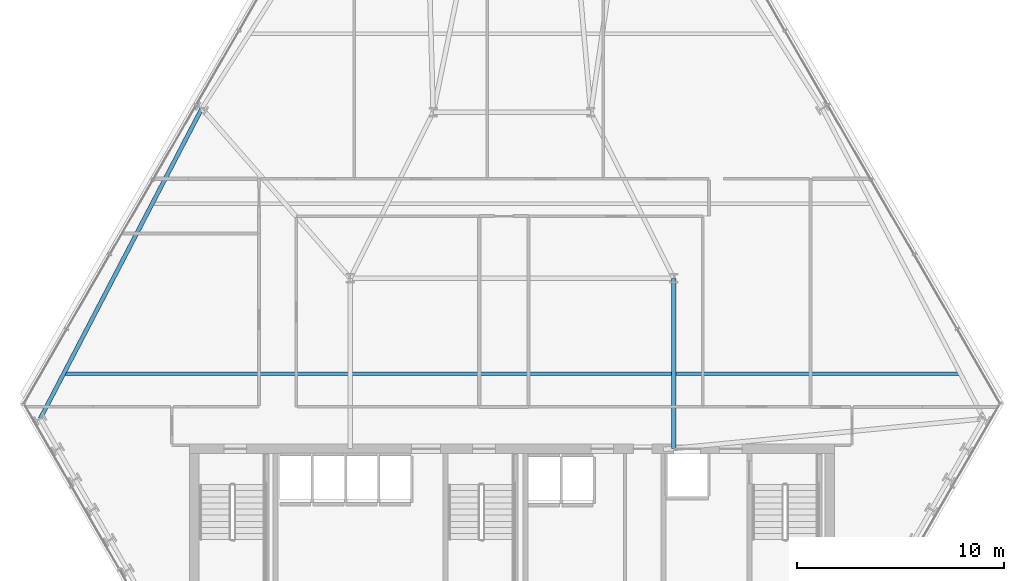
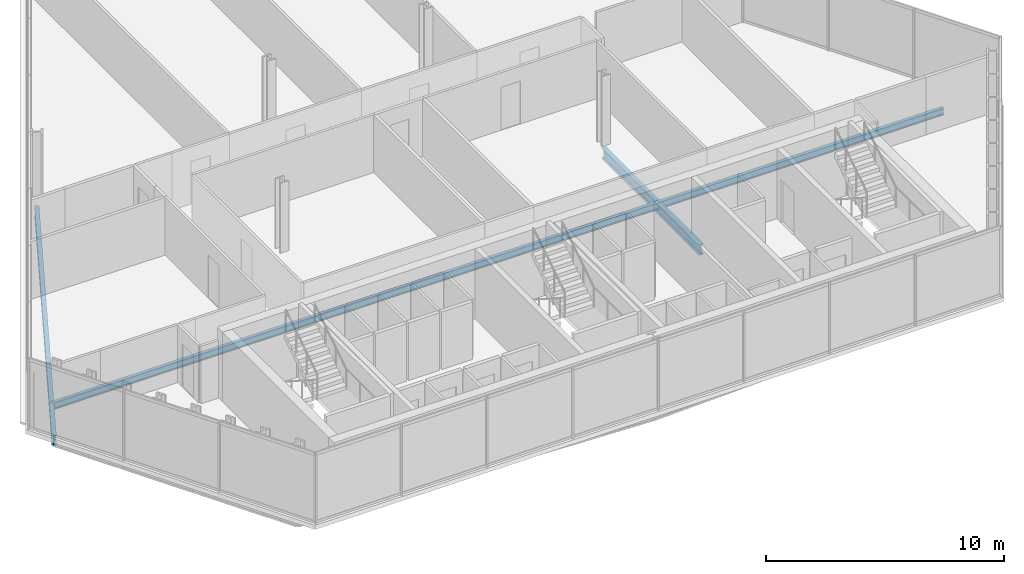
# One storey, part 12 of 32: 3 beams.
"""IFC4 building model written with IfcOpenShell, lengths in metres."""

from ifc_helpers import new_model, si_unit, direction, frame, origin, origin_2d, place, context, subcontext, project, spatial, i_section, extrude, material, material_profile, profile_set, type_object, element, save


model = new_model("IFC4")

# Units and contexts
model_context = context("Model", 3, precision=1e-05, world=origin(), true_north=direction((0.0, 1.0)))
body_context = subcontext(model_context, "Body", "Model", "MODEL_VIEW")
ifc_project = project(units=[si_unit("LENGTHUNIT", "METRE"), si_unit("AREAUNIT", "SQUARE_METRE"), si_unit("VOLUMEUNIT", "CUBIC_METRE"), si_unit("PLANEANGLEUNIT", "RADIAN"), si_unit("MASSUNIT", "GRAM", prefix="KILO")], contexts=[model_context])

# Site, building, storey
site_placement = place(None, origin())
site = spatial("IfcSite", under=ifc_project, at=site_placement, CompositionType="ELEMENT")
building_placement = place(site_placement, origin())
building = spatial("IfcBuilding", under=site, at=building_placement, Name="Ndaravel Arena Tower", CompositionType="ELEMENT")
storey_placement = place(building_placement, frame((0.0, 0.0, 93.0)))
storey = spatial("IfcBuildingStorey", under=building, at=storey_placement, Name="L21", CompositionType="ELEMENT", Elevation=93.0)

# Beams
ifc_material_1 = material(Name="Steel S355", Category="steel")
ifc_material_profile_1 = material_profile(ifc_material_1, i_section(OverallWidth=0.210693359375, OverallDepth=0.53955078125, WebThickness=0.01171875, FlangeThickness=0.018798828125, FilletRadius=0.0126953125, at=origin_2d()), Name="UB 533x210x109")
ifc_profile_set_1 = profile_set([ifc_material_profile_1], Name="Steel S355")
beam_type_1 = type_object("IfcBeamType", Name="BM-GIRD-UB533", PredefinedType="BEAM", material=ifc_profile_set_1)
beam_1_placement = place(storey_placement, frame((49.800048828125, 14.97998046875, -0.48974609375), z_axis=(0.0, 1.0, 0.0), x_axis=(-1.0, 0.0, 0.0)))
element("IfcBeam", 1, at=beam_1_placement, inside=storey, type_object=beam_type_1, Name="L21 Spine Link Girder SLG-02", PredefinedType="BEAM", context=body_context, shape_type="SweptSolid", body=[
    extrude(i_section(OverallWidth=0.210693359375, OverallDepth=0.53955078125, WebThickness=0.01171875, FlangeThickness=0.018798828125, FilletRadius=0.0126953125, at=origin_2d()), origin(), (0.0, 0.0, 1.0), 8.219970703125),
])
ifc_material_2 = material(Name="Steel S355", Category="steel")
ifc_material_profile_2 = material_profile(ifc_material_2, i_section(OverallWidth=0.169921875, OverallDepth=0.360107421875, WebThickness=0.008056640625, FlangeThickness=0.0126953125, FilletRadius=0.01806640625, at=origin_2d()), Name="IPE 360")
ifc_profile_set_2 = profile_set([ifc_material_profile_2], Name="Steel S355")
beam_type_2 = type_object("IfcBeamType", Name="BM-JOIST-IPE360", PredefinedType="JOIST", material=ifc_profile_set_2)
beam_2_placement = place(storey_placement, frame((20.38037109375, 18.60009765625, -0.39990234375), z_axis=(1.0, 0.0, 0.0), x_axis=(0.0, 1.0, 0.0)))
element("IfcBeam", 2, at=beam_2_placement, inside=storey, type_object=beam_type_2, Name="L21 Composite Floor Joist FJ-01", PredefinedType="JOIST", context=body_context, shape_type="SweptSolid", body=[
    extrude(i_section(OverallWidth=0.169921875, OverallDepth=0.360107421875, WebThickness=0.008056640625, FlangeThickness=0.0126953125, FilletRadius=0.01806640625, at=origin_2d()), origin(), (0.0, 0.0, 1.0), 43.2392578125),
])
ifc_material_3 = material(Name="Steel S355", Category="steel")
ifc_material_profile_3 = material_profile(ifc_material_3, i_section(OverallWidth=0.199951171875, OverallDepth=0.5, WebThickness=0.01025390625, FlangeThickness=0.01611328125, FilletRadius=0.02099609375, at=origin_2d()), Name="IPE 500")
ifc_profile_set_3 = profile_set([ifc_material_profile_3], Name="Steel S355")
beam_type_3 = type_object("IfcBeamType", Name="BM-SPAN-IPE500", PredefinedType="SPANDREL", material=ifc_profile_set_3)
beam_3_placement = place(storey_placement, frame((27.04248046875, 31.387451171875, -0.469970703125), z_axis=(-0.462050421947, -0.886853656236, 0.0), x_axis=(0.886853656236, -0.462050421947, 0.0)))
element("IfcBeam", 3, at=beam_3_placement, inside=storey, type_object=beam_type_3, Name="L21 Perimeter Spandrel Beam SP-19", PredefinedType="SPANDREL", context=body_context, shape_type="SweptSolid", body=[
    extrude(i_section(OverallWidth=0.199951171875, OverallDepth=0.5, WebThickness=0.01025390625, FlangeThickness=0.01611328125, FilletRadius=0.02099609375, at=origin_2d()), origin(), (0.0, 0.0, 1.0), 16.864990234375),
])

save(model, "model.ifc")
